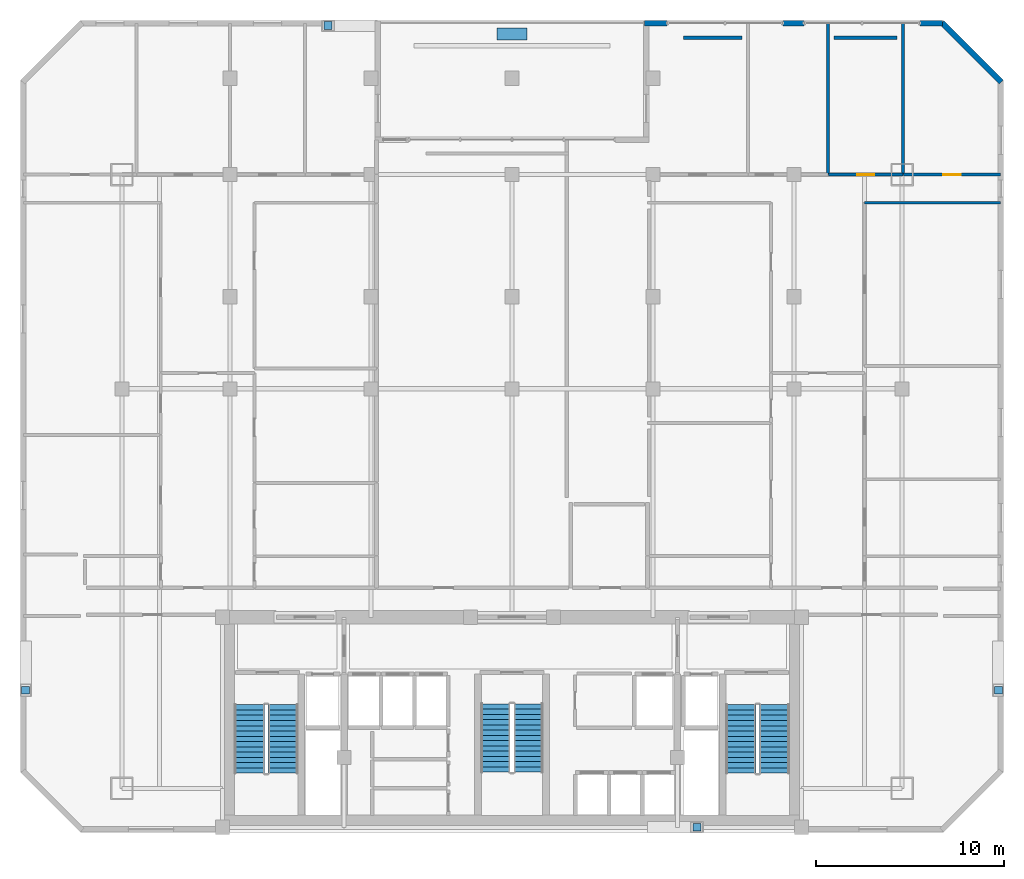
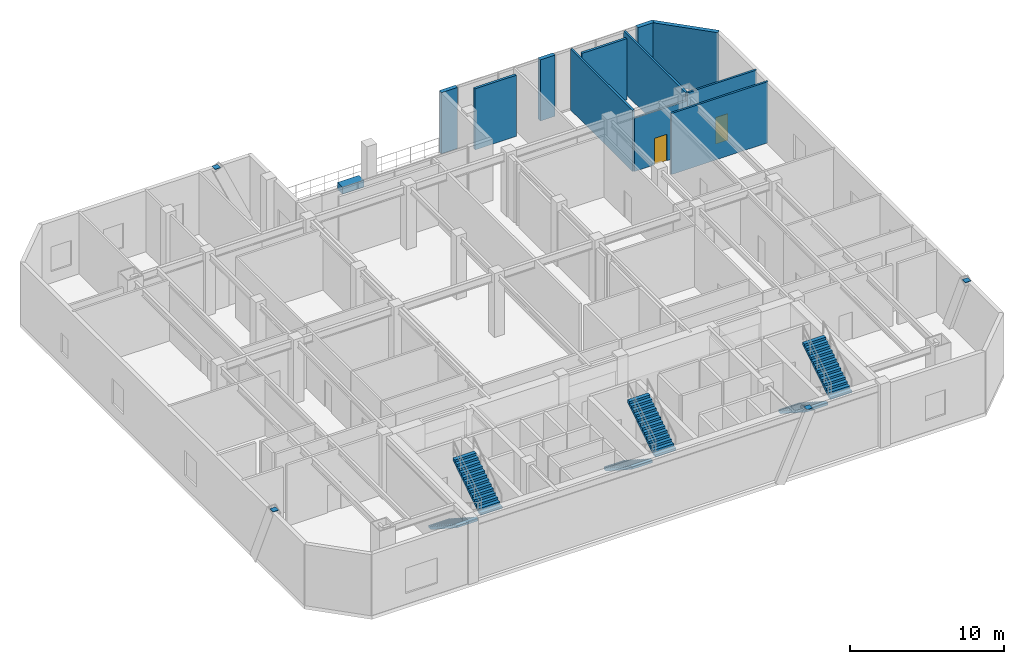
# One storey, part 10 of 11: 11 walls, 6 stair flights, 5 discrete accessories, 2 doors, 2 openings, 3 elements without a shape of their own.
"""IFC4 building model written with IfcOpenShell, lengths in metres."""

import ifcopenshell
import ifcopenshell.guid

model = None  # the IFC model being written
_history = None  # IfcOwnerHistory: only IFC2X3 demands one
_inside = {}  # id of a spatial element -> (the spatial element, [elements in it])
_under = {}  # id of a project, library or spatial element -> (it, [spatial elements below it])
_declared = {}  # id of a project -> (the project, [libraries it declares])
_typed = {}  # id of a type object -> (the type object, [elements of that type])
_made_of = {}  # id of a material, layer set ... -> (it, [elements and type objects made of it])


def new_model(schema):
    """Start an empty IFC model of exactly this schema.

    Asked for "IFC4X3", IfcOpenShell would pick the latest addendum, in which some entities
    have other attributes; the version numbers below select the first issue.
    IFC2X3 requires an IfcOwnerHistory on every rooted entity: one is made here for all.
    """
    global model, _history
    if schema == "IFC4X3":
        model = ifcopenshell.file(schema_version=(4, 3, 0, 0))
    else:
        model = ifcopenshell.file(schema=schema)
    _inside.clear()
    _under.clear()
    _declared.clear()
    _typed.clear()
    _made_of.clear()
    _history = None
    if model.schema == "IFC2X3":
        org = make("IfcOrganization", Name="unknown")
        user = make(
            "IfcPersonAndOrganization",
            ThePerson=make("IfcPerson", FamilyName="unknown"),
            TheOrganization=org,
        )
        app = make(
            "IfcApplication",
            ApplicationDeveloper=org,
            Version="unknown",
            ApplicationFullName="unknown",
            ApplicationIdentifier="unknown",
        )
        _history = make(
            "IfcOwnerHistory",
            OwningUser=user,
            OwningApplication=app,
            ChangeAction="ADDED",
            CreationDate=0,
        )
    return model


def make(cls, **values):
    """One entity of the class cls with the attributes given. An attribute that is None is left unset."""
    return model.create_entity(
        cls, **{name: value for name, value in values.items() if value is not None}
    )


def rooted(cls, **values):
    """An entity with a GlobalId (a new one), such as an element, a storey or a relation."""
    return make(cls, GlobalId=ifcopenshell.guid.new(), OwnerHistory=_history, **values)


def si_unit(unit_type, name, prefix=None):
    """IfcSIUnit, for example si_unit("LENGTHUNIT", "METRE", prefix="MILLI")."""
    return make("IfcSIUnit", UnitType=unit_type, Prefix=prefix, Name=name)


def assignment(units):
    """IfcUnitAssignment: the units of a project."""
    return None if units is None else make("IfcUnitAssignment", Units=units)


def point(xyz):
    """IfcCartesianPoint."""
    return None if xyz is None else make("IfcCartesianPoint", Coordinates=xyz)


def direction(xyz):
    """IfcDirection."""
    return None if xyz is None else make("IfcDirection", DirectionRatios=xyz)


def frame(location, z_axis=None, x_axis=None):
    """IfcAxis2Placement3D, a coordinate frame: its origin and axes. An axis left out is left unset."""
    return make(
        "IfcAxis2Placement3D",
        Location=point(location),
        Axis=direction(z_axis),
        RefDirection=direction(x_axis),
    )


def frame_2d(location, x_axis=None):
    """IfcAxis2Placement2D, a coordinate frame in the plane: its origin and x axis."""
    return make(
        "IfcAxis2Placement2D", Location=point(location), RefDirection=direction(x_axis)
    )


def origin():
    """The frame at (0, 0, 0) with its axes left unset."""
    return frame((0.0, 0.0, 0.0))


def origin_2d():
    """The frame at (0, 0) in the plane with its x axis left unset."""
    return frame_2d((0.0, 0.0))


def place(relative_to, where):
    """IfcLocalPlacement: puts the frame where relative to a parent placement (None: the world)."""
    return make(
        "IfcLocalPlacement", PlacementRelTo=relative_to, RelativePlacement=where
    )


def context(
    kind, dimensions, precision=None, world=None, true_north=None, identifier=None
):
    """IfcGeometricRepresentationContext, for example the 3D "Model" context."""
    return make(
        "IfcGeometricRepresentationContext",
        ContextIdentifier=identifier,
        ContextType=kind,
        CoordinateSpaceDimension=dimensions,
        Precision=precision,
        WorldCoordinateSystem=world,
        TrueNorth=true_north,
    )


def subcontext(parent, identifier, kind, view, scale=None):
    """IfcGeometricRepresentationSubContext, for example "Body" below "Model"."""
    return make(
        "IfcGeometricRepresentationSubContext",
        ContextIdentifier=identifier,
        ContextType=kind,
        ParentContext=parent,
        TargetScale=scale,
        TargetView=view,
    )


def project(units=None, contexts=None):
    """IfcProject with its units and contexts."""
    return rooted(
        "IfcProject",
        Name="project",
        RepresentationContexts=contexts,
        UnitsInContext=assignment(units),
    )


def spatial(cls, under=None, at=None, **own):
    """A site, building, storey or space (cls), placed at a placement, below another one or the project."""
    s = rooted(cls, ObjectPlacement=at, **own)
    if under is not None:
        _under.setdefault(under.id(), (under, []))[1].append(s)
    return s


def polyline(points):
    """IfcPolyline through the points."""
    return make("IfcPolyline", Points=[point(p) for p in points])


def profile(cls, at=None, kind="AREA", **sizes):
    """A parametric profile (cls). Its sizes go by their IFC names, for example OverallWidth=200.0."""
    return make(cls, ProfileType=kind, Position=at, **sizes)


def rectangle(**sizes):
    """IfcRectangleProfileDef."""
    return profile("IfcRectangleProfileDef", **sizes)


def outline(outer, holes=None, kind="AREA"):
    """IfcArbitraryClosedProfileDef: a profile drawn as a closed curve; with holes, ...WithVoids."""
    if holes is None:
        return make("IfcArbitraryClosedProfileDef", ProfileType=kind, OuterCurve=outer)
    return make(
        "IfcArbitraryProfileDefWithVoids",
        ProfileType=kind,
        OuterCurve=outer,
        InnerCurves=holes,
    )


def extrude(swept, where, along, depth):
    """IfcExtrudedAreaSolid: the profile swept, set in the frame where, extruded along a direction by depth."""
    return make(
        "IfcExtrudedAreaSolid",
        SweptArea=swept,
        Position=where,
        ExtrudedDirection=direction(along),
        Depth=depth,
    )


def shape(context_of_items, identifier, shape_type, items):
    """IfcShapeRepresentation: the items that make up one representation, for example the "Body"."""
    return make(
        "IfcShapeRepresentation",
        ContextOfItems=context_of_items,
        RepresentationIdentifier=identifier,
        RepresentationType=shape_type,
        Items=items,
    )


def material(Name=None, Category=None):
    """IfcMaterial."""
    return make("IfcMaterial", Name=Name, Category=Category)


def layer(
    of_material, thickness, ventilated=None, Name=None, Category=None, Priority=None
):
    """IfcMaterialLayer: one layer of a wall or slab, of a material (None: an air gap)."""
    return make(
        "IfcMaterialLayer",
        Material=of_material,
        LayerThickness=thickness,
        IsVentilated=ventilated,
        Name=Name,
        Category=Category,
        Priority=Priority,
    )


def layer_set(layers, Name=None):
    """IfcMaterialLayerSet."""
    return make("IfcMaterialLayerSet", MaterialLayers=layers, LayerSetName=Name)


def made_of(thing, what):
    """Note that an element or type object is made of a material, layer set ...; save() writes the relation."""
    if what is not None:
        _made_of.setdefault(what.id(), (what, []))[1].append(thing)
    return thing


def type_object(cls, material=None, **own):
    """A type object (cls), such as IfcWallType, which elements share."""
    return made_of(rooted(cls, **own), material)


def element(
    cls,
    number,
    at=None,
    inside=None,
    cuts=None,
    type_object=None,
    material=None,
    context=None,
    identifier="Body",
    shape_type=None,
    held_by="IfcProductDefinitionShape",
    body=None,
    shapes=None,
    **own,
):
    """One element of the class cls, such as IfcWall. Its Tag is "e" and its number.

    at: its placement. inside: the storey or other place that contains it. cuts: it is an
    opening in that element (IfcRelVoidsElement). A single representation is given by context,
    identifier, shape_type and body (its items); several are given by shapes. held_by: the class
    of the entity that holds the representations. save() writes the other relations.
    """
    e = rooted(cls, Tag="e%d" % number, ObjectPlacement=at, **own)
    if body is not None:
        shapes = [shape(context, identifier, shape_type, body)]
    if shapes is not None:
        e.Representation = make(held_by, Representations=shapes)
    if inside is not None:
        _inside.setdefault(inside.id(), (inside, []))[1].append(e)
    if cuts is not None:
        rooted(
            "IfcRelVoidsElement", RelatingBuildingElement=cuts, RelatedOpeningElement=e
        )
    if type_object is not None:
        _typed.setdefault(type_object.id(), (type_object, []))[1].append(e)
    return made_of(e, material)


def fill(opening, filler):
    """IfcRelFillsElement: the door or window that sits in an opening."""
    return rooted(
        "IfcRelFillsElement",
        RelatingOpeningElement=opening,
        RelatedBuildingElement=filler,
    )


def aggregate(whole, parts):
    """IfcRelAggregates: a whole, such as a stair, and the parts it consists of."""
    return rooted("IfcRelAggregates", RelatingObject=whole, RelatedObjects=parts)


def save(model, path):
    """Write the relations noted so far, then the file.

    IfcRelAggregates (storeys below a building ...), IfcRelContainedInSpatialStructure (elements
    in a storey), IfcRelDefinesByType, IfcRelAssociatesMaterial and IfcRelDeclares: one each for
    every whole, place, type object, material and project.
    """
    for whole, parts in _under.values():
        aggregate(whole, parts)
    for where, things in _inside.values():
        rooted(
            "IfcRelContainedInSpatialStructure",
            RelatedElements=things,
            RelatingStructure=where,
        )
    for kind, things in _typed.values():
        rooted("IfcRelDefinesByType", RelatedObjects=things, RelatingType=kind)
    for what, things in _made_of.values():
        rooted("IfcRelAssociatesMaterial", RelatedObjects=things, RelatingMaterial=what)
    for by, libraries in _declared.values():
        rooted("IfcRelDeclares", RelatingContext=by, RelatedDefinitions=libraries)
    model.write(path)


model = new_model("IFC4")

# Units and contexts
model_context = context("Model", 3, precision=1e-05, world=origin(), true_north=direction((0.0, 1.0)))
body_context = subcontext(model_context, "Body", "Model", "MODEL_VIEW")
ifc_project = project(units=[si_unit("LENGTHUNIT", "METRE"), si_unit("AREAUNIT", "SQUARE_METRE"), si_unit("VOLUMEUNIT", "CUBIC_METRE"), si_unit("PLANEANGLEUNIT", "RADIAN"), si_unit("MASSUNIT", "GRAM", prefix="KILO")], contexts=[model_context])

# Site, building, storey
site_placement = place(None, origin())
site = spatial("IfcSite", under=ifc_project, at=site_placement, CompositionType="ELEMENT")
building_placement = place(site_placement, origin())
building = spatial("IfcBuilding", under=site, at=building_placement, Name="Ventersveld Concourse Tower", CompositionType="ELEMENT")
storey_placement = place(building_placement, frame((0.0, 0.0, 140.14990234375)))
storey = spatial("IfcBuildingStorey", under=building, at=storey_placement, Name="L34", CompositionType="ELEMENT", Elevation=140.14990234375)

# Walls
ifc_material_1 = material(Name="Fire-rated autoclaved aerated masonry blockwork", Category="masonry")
ifc_layer_1 = layer(ifc_material_1, 0.179931640625)
ifc_layer_set_1 = layer_set([ifc_layer_1], Name="Fire-rated autoclaved aerated masonry blockwork")
wall_type_1 = type_object("IfcWallType", Name="WL-CORR-180", PredefinedType="PARTITIONING", material=ifc_layer_set_1)
wall_1_placement = place(storey_placement, frame((37.87841796875, 42.280029296875, 0.0), z_axis=(0.0, 0.0, 1.0), x_axis=(1.0, 0.0, 0.0)))
element("IfcWall", 1, at=wall_1_placement, inside=storey, type_object=wall_type_1, Name="L34 Room Enclosure Wall SP-L34-34CE-BR1", PredefinedType="PARTITIONING", context=body_context, shape_type="SweptSolid", body=[
    extrude(rectangle(XDim=3.099365234375, YDim=0.179931640625, at=frame_2d((1.5498046875, 0.0))), origin(), (0.0, 0.0, 1.0), 4.830078125),
])
wall_2_placement = place(storey_placement, frame((45.883544921875, 42.280029296875, 0.0), z_axis=(0.0, 0.0, 1.0), x_axis=(1.0, 0.0, 0.0)))
element("IfcWall", 2, at=wall_2_placement, inside=storey, type_object=wall_type_1, Name="L34 Room Enclosure Wall SP-L34-34CE-BR3", PredefinedType="PARTITIONING", context=body_context, shape_type="SweptSolid", body=[
    extrude(rectangle(XDim=3.333984375, YDim=0.179931640625, at=frame_2d((1.6669921875, 0.0))), origin(), (0.0, 0.0, 1.0), 4.830078125),
])
ifc_material_2 = material(Name="Autoclaved aerated masonry blockwork", Category="masonry")
ifc_layer_2 = layer(ifc_material_2, 0.14990234375)
ifc_layer_set_2 = layer_set([ifc_layer_2], Name="Autoclaved aerated masonry blockwork")
wall_type_2 = type_object("IfcWallType", Name="WL-INT-150", PredefinedType="PARTITIONING", material=ifc_layer_set_2)
wall_3_placement = place(storey_placement, frame((47.5, 33.5, 0.0), z_axis=(0.0, 0.0, 1.0), x_axis=(1.0, 0.0, 0.0)))
element("IfcWall", 3, at=wall_3_placement, inside=storey, type_object=wall_type_2, Name="L34 Interior Partition SP-L34-34CE-LIV-SP-L34-34CE-DENS2", PredefinedType="PARTITIONING", context=body_context, shape_type="SweptSolid", body=[
    extrude(rectangle(XDim=7.2275390625, YDim=0.14990234375, at=frame_2d((3.61376953125, 0.0))), origin(), (0.0, 0.0, 1.0), 4.830078125),
])

# Wall, opening, door
wall_4_placement = place(storey_placement, frame((45.593505859375, 35.0, 0.0), z_axis=(0.0, 0.0, 1.0), x_axis=(1.0, 0.0, 0.0)))
wall_4 = element("IfcWall", 4, at=wall_4_placement, inside=storey, type_object=wall_type_2, Name="L34 Interior Partition SP-L34-34CE-LIV-SP-L34-34CE-BR3", PredefinedType="PARTITIONING", context=body_context, shape_type="SweptSolid", body=[
    extrude(rectangle(XDim=3.9541015625, YDim=0.14990234375, at=frame_2d((1.97705078125, 0.0))), origin(), (0.0, 0.0, 1.0), 4.212890625),
])
opening_1_placement = place(wall_4_placement, frame((1.51708984375, 0.0, 0.0)))
opening_1 = element("IfcOpeningElement", 5, at=opening_1_placement, cuts=wall_4, Name="Opening ID1", PredefinedType="OPENING", context=body_context, shape_type="SweptSolid", body=[
    extrude(rectangle(XDim=0.919921875, YDim=2.10009765625, at=frame_2d((0.4599609375, 1.050048828125))), frame((0.0, 0.0849609375, 0.0), z_axis=(0.0, -1.0, 0.0), x_axis=(1.0, 0.0, 0.0)), (0.0, 0.0, 1.0), 0.169921875),
])
ifc_material_3 = material(Name="Solid-core hardwood veneer timber", Category="wood")
door_type = type_object("IfcDoorType", Name="DR-ROOM-092", OperationType="NOTDEFINED", PredefinedType="DOOR", material=ifc_material_3)
door_1_placement = place(opening_1_placement, origin())
door_1 = element("IfcDoor", 6, at=door_1_placement, inside=storey, type_object=door_type, Name="L34 Interior Door SP-L34-34CE-LIV to SP-L34-34CE-BR3 (D-L34-1697)", OperationType="SINGLE_SWING_LEFT", OverallHeight=2.10009765625, OverallWidth=0.919921875, PredefinedType="DOOR", context=body_context, shape_type="SweptSolid", body=[
    extrude(rectangle(XDim=0.919921875, YDim=2.10009765625, at=frame_2d((0.4599609375, 1.050048828125))), frame((0.0, 0.02490234375, 0.0), z_axis=(0.0, -1.0, 0.0), x_axis=(1.0, 0.0, 0.0)), (0.0, 0.0, 1.0), 0.050048828125),
])
fill(opening_1, door_1)

wall_5_placement = place(storey_placement, frame((49.57763671875, 35.0, 0.0), z_axis=(0.0, 0.0, 1.0), x_axis=(1.0, 0.0, 0.0)))
wall_5 = element("IfcWall", 7, at=wall_5_placement, inside=storey, type_object=wall_type_2, Name="L34 Interior Partition SP-L34-34CE-LIV-SP-L34-34CE-BR4", PredefinedType="PARTITIONING", context=body_context, shape_type="SweptSolid", body=[
    extrude(rectangle(XDim=5.14990234375, YDim=0.14990234375, at=frame_2d((2.574951171875, 0.0))), origin(), (0.0, 0.0, 1.0), 4.830078125),
])
opening_2_placement = place(wall_5_placement, frame((2.114990234375, 0.0, 0.0)))
opening_2 = element("IfcOpeningElement", 8, at=opening_2_placement, cuts=wall_5, Name="Opening ID1", PredefinedType="OPENING", context=body_context, shape_type="SweptSolid", body=[
    extrude(rectangle(XDim=0.919921875, YDim=2.10009765625, at=frame_2d((0.4599609375, 1.050048828125))), frame((0.0, 0.0849609375, 0.0), z_axis=(0.0, -1.0, 0.0), x_axis=(1.0, 0.0, 0.0)), (0.0, 0.0, 1.0), 0.169921875),
])
door_2_placement = place(opening_2_placement, origin())
door_2 = element("IfcDoor", 9, at=door_2_placement, inside=storey, type_object=door_type, Name="L34 Interior Door SP-L34-34CE-LIV to SP-L34-34CE-BR4 (D-L34-1698)", OperationType="SINGLE_SWING_RIGHT", OverallHeight=2.10009765625, OverallWidth=0.919921875, PredefinedType="DOOR", context=body_context, shape_type="SweptSolid", body=[
    extrude(rectangle(XDim=0.919921875, YDim=2.10009765625, at=frame_2d((0.4599609375, 1.050048828125))), frame((0.0, 0.02490234375, 0.0), z_axis=(0.0, -1.0, 0.0), x_axis=(1.0, 0.0, 0.0)), (0.0, 0.0, 1.0), 0.050048828125),
])
fill(opening_2, door_2)

# Walls
for number, where, z_axis, x_axis, name in (
    (10, (45.55859375, 34.9951171875, 0.0), (0.0, 0.0, 1.0), (0.0, 1.0, 0.0), "L34 Interior Partition SP-L34-34CE-BR2-SP-L34-34CE-BR3"),
    (11, (49.54248046875, 34.9951171875, 0.0), (0.0, 0.0, 1.0), (0.0, 1.0, 0.0), "L34 Interior Partition SP-L34-34CE-BR3-SP-L34-34CE-BR4"),
):
    element("IfcWall", number, at=place(storey_placement, frame(where, z_axis=z_axis, x_axis=x_axis)), inside=storey, type_object=wall_type_2, Name=name, PredefinedType="PARTITIONING", context=body_context, shape_type="SweptSolid", body=[
        extrude(rectangle(XDim=8.036865234375, YDim=0.14990234375, at=frame_2d((4.0185546875, 0.0))), origin(), (0.0, 0.0, 1.0), 4.830078125),
    ])
ifc_material_4 = material(Name="Precast concrete C45/55", Category="concrete")
ifc_layer_3 = layer(ifc_material_4, 0.300048828125)
ifc_layer_set_3 = layer_set([ifc_layer_3], Name="Precast concrete C45/55")
wall_type_3 = type_object("IfcWallType", Name="WL-PREC-300", PredefinedType="SOLIDWALL", material=ifc_layer_set_3)
wall_6_placement = place(storey_placement, frame((54.765625, 39.922119140625, 0.0), z_axis=(0.0, 0.0, 1.0), x_axis=(-0.707079321262, 0.707134240044, 0.0)))
element("IfcWall", 12, at=wall_6_placement, inside=storey, type_object=wall_type_3, Name="L34 Highveld Precast Facade Wall E04", PredefinedType="SOLIDWALL", context=body_context, shape_type="SweptSolid", body=[
    extrude(rectangle(XDim=4.445556640625, YDim=0.300048828125, at=frame_2d((2.22265625, 0.0))), origin(), (0.0, 0.0, 1.0), 4.830078125),
])
wall_7_placement = place(storey_placement, frame((51.659912109375, 43.050048828125, 0.0), z_axis=(0.0, 0.0, 1.0), x_axis=(-1.0, 0.0, 0.0)))
element("IfcWall", 13, at=wall_7_placement, inside=storey, type_object=wall_type_3, Name="L34 Sky Lobby Outer Pier", PredefinedType="SOLIDWALL", context=body_context, shape_type="SweptSolid", body=[
    extrude(rectangle(XDim=1.199951171875, YDim=0.300048828125, at=frame_2d((0.60009765625, 0.0))), origin(), (0.0, 0.0, 1.0), 4.830078125),
])
wall_8_placement = place(storey_placement, frame((44.27490234375, 43.050048828125, 0.0), z_axis=(0.0, 0.0, 1.0), x_axis=(-1.0, 0.0, 0.0)))
element("IfcWall", 14, at=wall_8_placement, inside=storey, type_object=wall_type_3, Name="L34 Sky Lobby Mullion Pier", PredefinedType="SOLIDWALL", context=body_context, shape_type="SweptSolid", body=[
    extrude(rectangle(XDim=1.099853515625, YDim=0.300048828125, at=frame_2d((0.5498046875, 0.0))), origin(), (0.0, 0.0, 1.0), 4.830078125),
])
wall_9_placement = place(storey_placement, frame((36.989990234375, 43.050048828125, 0.0), z_axis=(0.0, 0.0, 1.0), x_axis=(-1.0, 0.0, 0.0)))
element("IfcWall", 15, at=wall_9_placement, inside=storey, type_object=wall_type_3, Name="L34 Sky Lobby Inner Pier", PredefinedType="SOLIDWALL", context=body_context, shape_type="SweptSolid", body=[
    extrude(rectangle(XDim=1.199951171875, YDim=0.300048828125, at=frame_2d((0.60009765625, 0.0))), origin(), (0.0, 0.0, 1.0), 4.830078125),
])

# Stair, stair flights
ifc_material_5 = material(Name="Concrete C50/60", Category="concrete")
stair_type_1 = type_object("IfcStairType", Name="ST-DOG-155", PredefinedType="HALF_TURN_STAIR", material=ifc_material_5)
stair_1_placement = place(storey_placement, origin())
stair_1 = element("IfcStair", 16, at=stair_1_placement, inside=storey, type_object=stair_type_1, Name="L34 Protected Central Core Escape Stair ST-03", PredefinedType="HALF_TURN_STAIR")
stair_flight_type_1 = type_object("IfcStairFlightType", Name="STF-RC-155", PredefinedType="STRAIGHT", material=ifc_material_5)
stair_flight_1_placement = place(storey_placement, frame((27.875, 6.85009765625, 0.0), z_axis=(0.0, 0.0, 1.0), x_axis=(0.0, -1.0, 0.0)))
stair_flight_1 = element("IfcStairFlight", 17, at=stair_flight_1_placement, type_object=stair_flight_type_1, Name="ST-03 flight 1", NumberOfRisers=14, NumberOfTreads=13, PredefinedType="STRAIGHT", RiserHeight=0.180357143, TreadLength=0.28, context=body_context, shape_type="SweptSolid", body=[
    extrude(outline(polyline([(0.0, 0.0), (0.0, 0.180419921875), (0.280029296875, 0.180419921875), (0.280029296875, 0.360595703125), (0.56005859375, 0.360595703125), (0.56005859375, 0.541015625), (0.840087890625, 0.541015625), (0.840087890625, 0.721435546875), (1.1201171875, 0.721435546875), (1.1201171875, 0.90185546875), (1.39990234375, 0.90185546875), (1.39990234375, 1.08203125), (1.679931640625, 1.08203125), (1.679931640625, 1.262451171875), (1.9599609375, 1.262451171875), (1.9599609375, 1.44287109375), (2.239990234375, 1.44287109375), (2.239990234375, 1.623291015625), (2.52001953125, 1.623291015625), (2.52001953125, 1.803466796875), (2.800048828125, 1.803466796875), (2.800048828125, 1.98388671875), (3.080078125, 1.98388671875), (3.080078125, 2.164306640625), (3.360107421875, 2.164306640625), (3.360107421875, 2.3447265625), (3.639892578125, 2.3447265625), (3.639892578125, 2.52490234375), (3.639892578125, 2.166259765625), (0.27685546875, 0.0), (0.0, 0.0)])), frame((0.0, 0.77490234375, 0.0), z_axis=(0.0, -1.0, 0.0), x_axis=(1.0, 0.0, 0.0)), (0.0, 0.0, 1.0), 1.550048828125),
])
stair_flight_2_placement = place(storey_placement, frame((29.625, 3.2099609375, 2.525146484375), z_axis=(0.0, 0.0, 1.0), x_axis=(0.0, 1.0, 0.0)))
stair_flight_2 = element("IfcStairFlight", 18, at=stair_flight_2_placement, type_object=stair_flight_type_1, Name="ST-03 flight 2", NumberOfRisers=14, NumberOfTreads=13, PredefinedType="STRAIGHT", RiserHeight=0.180357143, TreadLength=0.28, context=body_context, shape_type="SweptSolid", body=[
    extrude(outline(polyline([(0.0, 0.0), (0.0, 0.180419921875), (0.280029296875, 0.180419921875), (0.280029296875, 0.360595703125), (0.56005859375, 0.360595703125), (0.56005859375, 0.541015625), (0.840087890625, 0.541015625), (0.840087890625, 0.721435546875), (1.1201171875, 0.721435546875), (1.1201171875, 0.90185546875), (1.39990234375, 0.90185546875), (1.39990234375, 1.08203125), (1.679931640625, 1.08203125), (1.679931640625, 1.262451171875), (1.9599609375, 1.262451171875), (1.9599609375, 1.44287109375), (2.239990234375, 1.44287109375), (2.239990234375, 1.623291015625), (2.52001953125, 1.623291015625), (2.52001953125, 1.803466796875), (2.800048828125, 1.803466796875), (2.800048828125, 1.98388671875), (3.080078125, 1.98388671875), (3.080078125, 2.164306640625), (3.360107421875, 2.164306640625), (3.360107421875, 2.3447265625), (3.639892578125, 2.3447265625), (3.639892578125, 2.52490234375), (3.639892578125, 2.166259765625), (0.27685546875, 0.0), (0.0, 0.0)])), frame((0.0, 0.77490234375, 0.0), z_axis=(0.0, -1.0, 0.0), x_axis=(1.0, 0.0, 0.0)), (0.0, 0.0, 1.0), 1.550048828125),
])
aggregate(stair_1, [stair_flight_1, stair_flight_2])

stair_type_2 = type_object("IfcStairType", Name="ST-DOG-160", PredefinedType="HALF_TURN_STAIR", material=ifc_material_5)
stair_2_placement = place(storey_placement, origin())
stair_2 = element("IfcStair", 19, at=stair_2_placement, inside=storey, type_object=stair_type_2, Name="L34 Protected Tower Escape Stair ST-01", PredefinedType="HALF_TURN_STAIR")
stair_flight_type_2 = type_object("IfcStairFlightType", Name="STF-RC-160", PredefinedType="STRAIGHT", material=ifc_material_5)
stair_flight_3_placement = place(storey_placement, frame((14.780029296875, 6.800048828125, 0.0), z_axis=(0.0, 0.0, 1.0), x_axis=(0.0, -1.0, 0.0)))
stair_flight_3 = element("IfcStairFlight", 20, at=stair_flight_3_placement, type_object=stair_flight_type_2, Name="ST-01 flight 1", NumberOfRisers=14, NumberOfTreads=13, PredefinedType="STRAIGHT", RiserHeight=0.180357143, TreadLength=0.28, context=body_context, shape_type="SweptSolid", body=[
    extrude(outline(polyline([(0.0, 0.0), (0.0, 0.180419921875), (0.280029296875, 0.180419921875), (0.280029296875, 0.360595703125), (0.56005859375, 0.360595703125), (0.56005859375, 0.541015625), (0.840087890625, 0.541015625), (0.840087890625, 0.721435546875), (1.1201171875, 0.721435546875), (1.1201171875, 0.90185546875), (1.39990234375, 0.90185546875), (1.39990234375, 1.08203125), (1.679931640625, 1.08203125), (1.679931640625, 1.262451171875), (1.9599609375, 1.262451171875), (1.9599609375, 1.44287109375), (2.239990234375, 1.44287109375), (2.239990234375, 1.623291015625), (2.52001953125, 1.623291015625), (2.52001953125, 1.803466796875), (2.800048828125, 1.803466796875), (2.800048828125, 1.98388671875), (3.080078125, 1.98388671875), (3.080078125, 2.164306640625), (3.360107421875, 2.164306640625), (3.360107421875, 2.3447265625), (3.639892578125, 2.3447265625), (3.639892578125, 2.52490234375), (3.639892578125, 2.166259765625), (0.27685546875, 0.0), (0.0, 0.0)])), frame((0.0, 0.800048828125, 0.0), z_axis=(0.0, -1.0, 0.0), x_axis=(1.0, 0.0, 0.0)), (0.0, 0.0, 1.0), 1.60009765625),
])
stair_flight_4_placement = place(storey_placement, frame((16.580078125, 3.159912109375, 2.525146484375), z_axis=(0.0, 0.0, 1.0), x_axis=(0.0, 1.0, 0.0)))
stair_flight_4 = element("IfcStairFlight", 21, at=stair_flight_4_placement, type_object=stair_flight_type_2, Name="ST-01 flight 2", NumberOfRisers=14, NumberOfTreads=13, PredefinedType="STRAIGHT", RiserHeight=0.180357143, TreadLength=0.28, context=body_context, shape_type="SweptSolid", body=[
    extrude(outline(polyline([(0.0, 0.0), (0.0, 0.180419921875), (0.280029296875, 0.180419921875), (0.280029296875, 0.360595703125), (0.56005859375, 0.360595703125), (0.56005859375, 0.541015625), (0.840087890625, 0.541015625), (0.840087890625, 0.721435546875), (1.1201171875, 0.721435546875), (1.1201171875, 0.90185546875), (1.39990234375, 0.90185546875), (1.39990234375, 1.08203125), (1.679931640625, 1.08203125), (1.679931640625, 1.262451171875), (1.9599609375, 1.262451171875), (1.9599609375, 1.44287109375), (2.239990234375, 1.44287109375), (2.239990234375, 1.623291015625), (2.52001953125, 1.623291015625), (2.52001953125, 1.803466796875), (2.800048828125, 1.803466796875), (2.800048828125, 1.98388671875), (3.080078125, 1.98388671875), (3.080078125, 2.164306640625), (3.360107421875, 2.164306640625), (3.360107421875, 2.3447265625), (3.639892578125, 2.3447265625), (3.639892578125, 2.52490234375), (3.639892578125, 2.166259765625), (0.27685546875, 0.0), (0.0, 0.0)])), frame((0.0, 0.800048828125, 0.0), z_axis=(0.0, -1.0, 0.0), x_axis=(1.0, 0.0, 0.0)), (0.0, 0.0, 1.0), 1.60009765625),
])
aggregate(stair_2, [stair_flight_3, stair_flight_4])

stair_3_placement = place(storey_placement, origin())
stair_3 = element("IfcStair", 22, at=stair_3_placement, inside=storey, type_object=stair_type_2, Name="L34 Protected Tower Escape Stair ST-02", PredefinedType="HALF_TURN_STAIR")
stair_flight_5_placement = place(storey_placement, frame((40.919921875, 6.800048828125, 0.0), z_axis=(0.0, 0.0, 1.0), x_axis=(0.0, -1.0, 0.0)))
stair_flight_5 = element("IfcStairFlight", 23, at=stair_flight_5_placement, type_object=stair_flight_type_2, Name="ST-02 flight 1", NumberOfRisers=14, NumberOfTreads=13, PredefinedType="STRAIGHT", RiserHeight=0.180357143, TreadLength=0.28, context=body_context, shape_type="SweptSolid", body=[
    extrude(outline(polyline([(0.0, 0.0), (0.0, 0.180419921875), (0.280029296875, 0.180419921875), (0.280029296875, 0.360595703125), (0.56005859375, 0.360595703125), (0.56005859375, 0.541015625), (0.840087890625, 0.541015625), (0.840087890625, 0.721435546875), (1.1201171875, 0.721435546875), (1.1201171875, 0.90185546875), (1.39990234375, 0.90185546875), (1.39990234375, 1.08203125), (1.679931640625, 1.08203125), (1.679931640625, 1.262451171875), (1.9599609375, 1.262451171875), (1.9599609375, 1.44287109375), (2.239990234375, 1.44287109375), (2.239990234375, 1.623291015625), (2.52001953125, 1.623291015625), (2.52001953125, 1.803466796875), (2.800048828125, 1.803466796875), (2.800048828125, 1.98388671875), (3.080078125, 1.98388671875), (3.080078125, 2.164306640625), (3.360107421875, 2.164306640625), (3.360107421875, 2.3447265625), (3.639892578125, 2.3447265625), (3.639892578125, 2.52490234375), (3.639892578125, 2.166259765625), (0.27685546875, 0.0), (0.0, 0.0)])), frame((0.0, 0.800048828125, 0.0), z_axis=(0.0, -1.0, 0.0), x_axis=(1.0, 0.0, 0.0)), (0.0, 0.0, 1.0), 1.60009765625),
])
stair_flight_6_placement = place(storey_placement, frame((42.719970703125, 3.159912109375, 2.525146484375), z_axis=(0.0, 0.0, 1.0), x_axis=(0.0, 1.0, 0.0)))
stair_flight_6 = element("IfcStairFlight", 24, at=stair_flight_6_placement, type_object=stair_flight_type_2, Name="ST-02 flight 2", NumberOfRisers=14, NumberOfTreads=13, PredefinedType="STRAIGHT", RiserHeight=0.180357143, TreadLength=0.28, context=body_context, shape_type="SweptSolid", body=[
    extrude(outline(polyline([(0.0, 0.0), (0.0, 0.180419921875), (0.280029296875, 0.180419921875), (0.280029296875, 0.360595703125), (0.56005859375, 0.360595703125), (0.56005859375, 0.541015625), (0.840087890625, 0.541015625), (0.840087890625, 0.721435546875), (1.1201171875, 0.721435546875), (1.1201171875, 0.90185546875), (1.39990234375, 0.90185546875), (1.39990234375, 1.08203125), (1.679931640625, 1.08203125), (1.679931640625, 1.262451171875), (1.9599609375, 1.262451171875), (1.9599609375, 1.44287109375), (2.239990234375, 1.44287109375), (2.239990234375, 1.623291015625), (2.52001953125, 1.623291015625), (2.52001953125, 1.803466796875), (2.800048828125, 1.803466796875), (2.800048828125, 1.98388671875), (3.080078125, 1.98388671875), (3.080078125, 2.164306640625), (3.360107421875, 2.164306640625), (3.360107421875, 2.3447265625), (3.639892578125, 2.3447265625), (3.639892578125, 2.52490234375), (3.639892578125, 2.166259765625), (0.27685546875, 0.0), (0.0, 0.0)])), frame((0.0, 0.800048828125, 0.0), z_axis=(0.0, -1.0, 0.0), x_axis=(1.0, 0.0, 0.0)), (0.0, 0.0, 1.0), 1.60009765625),
])
aggregate(stair_3, [stair_flight_5, stair_flight_6])

# Discrete accessories
ifc_material_6 = material(Name="Structural steel S355J2", Category="steel")
discrete_accessory_type_1 = type_object("IfcDiscreteAccessoryType", Name="CONN-BRACE-ECP1", PredefinedType="BRACKET", material=ifc_material_6)
for number, where, z_axis, x_axis, name in (
    (25, (18.968505859375, 42.919921875, 4.81005859375), (0.0, 0.0, 1.0), (1.0, 0.0, 0.0), "L34 Steel Brace End Connection Plate ECP1-0316"),
    (26, (38.58154296875, 0.280029296875, 4.81005859375), (0.0, 0.0, 1.0), (1.0, 0.0, 0.0), "L34 Steel Brace End Connection Plate ECP1-0320"),
    (27, (2.8798828125, 7.568359375, 4.81005859375), (0.0, 0.0, 1.0), (1.0, 0.0, 0.0), "L34 Steel Brace End Connection Plate ECP1-0324"),
    (28, (54.6201171875, 7.568359375, 4.81005859375), (0.0, 0.0, 1.0), (1.0, 0.0, 0.0), "L34 Steel Brace End Connection Plate ECP1-0328"),
):
    element("IfcDiscreteAccessory", number, at=place(storey_placement, frame(where, z_axis=z_axis, x_axis=x_axis)), inside=storey, type_object=discrete_accessory_type_1, Name=name, PredefinedType="BRACKET", context=body_context, shape_type="SweptSolid", body=[
        extrude(rectangle(XDim=0.419921875, YDim=0.419921875, at=origin_2d()), origin(), (0.0, 0.0, 1.0), 0.0400390625),
    ])
discrete_accessory_type_2 = type_object("IfcDiscreteAccessoryType", Name="PLN-TERR-180", PredefinedType="USERDEFINED", material=ifc_material_4)
discrete_accessory_placement = place(storey_placement, frame((28.75, 42.47998046875, 0.0), z_axis=(0.0, 0.0, 1.0), x_axis=(1.0, 0.0, 0.0)))
element("IfcDiscreteAccessory", 29, at=discrete_accessory_placement, inside=storey, type_object=discrete_accessory_type_2, Name="L34 Planted Precast Terrace Planter Box SKYGARDEN", ObjectType="PLANTER", PredefinedType="USERDEFINED", context=body_context, shape_type="SweptSolid", body=[
    extrude(rectangle(XDim=1.60009765625, YDim=0.64990234375, at=origin_2d()), origin(), (0.0, 0.0, 1.0), 0.550048828125),
])

save(model, "model.ifc")
